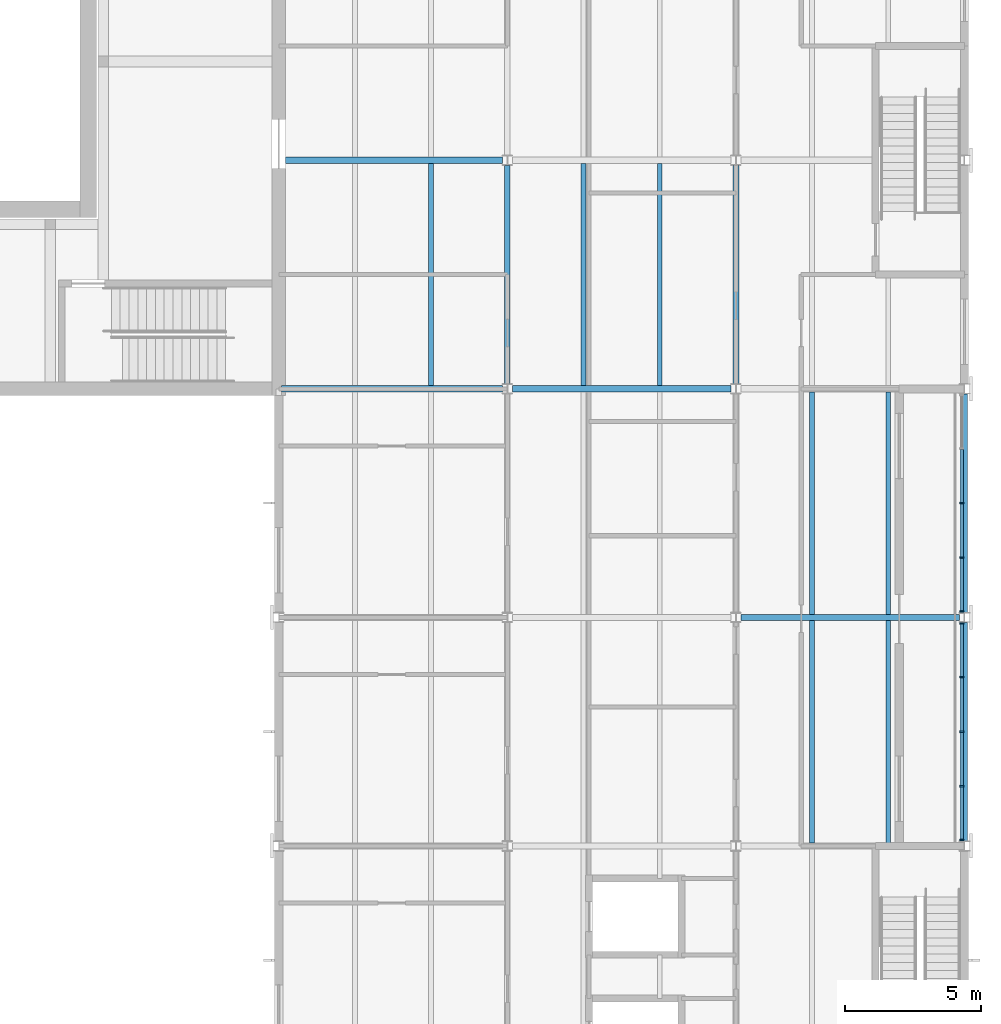
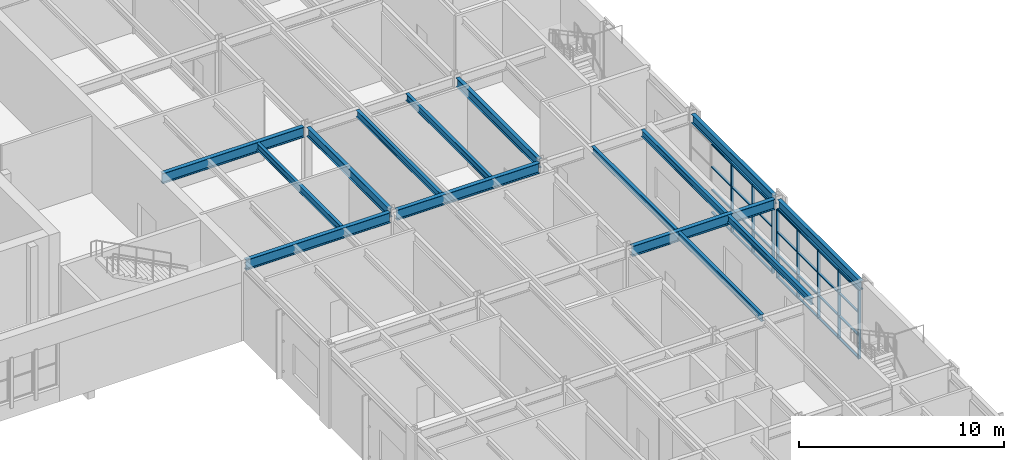
# One storey, part 28 of 127: 36 members, 15 beams, 2 elements without a shape of their own.
"""IFC4 building model written with IfcOpenShell, lengths in metres."""

from ifc_helpers import new_model, si_unit, direction, frame, origin, origin_2d, place, context, subcontext, project, spatial, rectangle, i_section, extrude, material, material_profile, profile_set, type_object, element, aggregate, save


model = new_model("IFC4")

# Units and contexts
model_context = context("Model", 3, precision=1e-05, world=origin(), true_north=direction((0.0, 1.0)))
body_context = subcontext(model_context, "Body", "Model", "MODEL_VIEW")
ifc_project = project(units=[si_unit("LENGTHUNIT", "METRE"), si_unit("AREAUNIT", "SQUARE_METRE"), si_unit("VOLUMEUNIT", "CUBIC_METRE"), si_unit("PLANEANGLEUNIT", "RADIAN"), si_unit("MASSUNIT", "GRAM", prefix="KILO")], contexts=[model_context])

# Site, building, storey
site_placement = place(None, origin())
site = spatial("IfcSite", under=ifc_project, at=site_placement, CompositionType="ELEMENT")
building_placement = place(site_placement, origin())
building = spatial("IfcBuilding", under=site, at=building_placement, Name="Ljudholm Concert House", CompositionType="ELEMENT")
storey_placement = place(building_placement, frame((0.0, 0.0, 5.39990234375)))
storey = spatial("IfcBuildingStorey", under=building, at=storey_placement, Name="L01", CompositionType="ELEMENT", Elevation=5.39990234375)

# Curtain wall, members
ifc_material_1 = material(Name="Aluminium curtain wall with fixed aluminium storm louvre blades, timber-grain finish", Category="aluminium")
curtain_wall_type = type_object("IfcCurtainWallType", Name="CURTAIN WALL 2000", PredefinedType="NOTDEFINED", material=ifc_material_1)
curtain_wall_1_placement = place(storey_placement, origin())
curtain_wall_1 = element("IfcCurtainWall", 1, at=curtain_wall_1_placement, inside=storey, type_object=curtain_wall_type, Name="Storm louvre screen", PredefinedType="NOTDEFINED")
ifc_material_2 = material(Name="Aluminium extrusion", Category="aluminium")
ifc_material_profile_1 = material_profile(ifc_material_2, rectangle(XDim=0.159912109375, YDim=0.06005859375, at=origin_2d()), Name="MULLION 60x160")
ifc_profile_set_1 = profile_set([ifc_material_profile_1], Name="Aluminium extrusion")
member_type_1 = type_object("IfcMemberType", Name="MULLION 60x160", PredefinedType="MULLION", material=ifc_profile_set_1)
member_1_placement = place(storey_placement, frame((121.5, 37.820068359375, 0.0), z_axis=(0.0, 0.0, 1.0), x_axis=(-1.0, 0.0, 0.0)))
member_1 = element("IfcMember", 2, at=member_1_placement, type_object=member_type_1, Name="Mullion", PredefinedType="MULLION", context=body_context, shape_type="SweptSolid", body=[
    extrude(rectangle(XDim=0.159912109375, YDim=0.06005859375, at=origin_2d()), origin(), (0.0, 0.0, 1.0), 4.086669921875),
])
member_2_placement = place(storey_placement, frame((121.5, 39.794921875, 0.0), z_axis=(0.0, 0.0, 1.0), x_axis=(-1.0, 0.0, 0.0)))
member_2 = element("IfcMember", 3, at=member_2_placement, type_object=member_type_1, Name="Mullion", PredefinedType="MULLION", context=body_context, shape_type="SweptSolid", body=[
    extrude(rectangle(XDim=0.159912109375, YDim=0.06005859375, at=origin_2d()), origin(), (0.0, 0.0, 1.0), 4.086669921875),
])
member_3_placement = place(storey_placement, frame((121.5, 41.800048828125, 0.0), z_axis=(0.0, 0.0, 1.0), x_axis=(-1.0, 0.0, 0.0)))
member_3 = element("IfcMember", 4, at=member_3_placement, type_object=member_type_1, Name="Mullion", PredefinedType="MULLION", context=body_context, shape_type="SweptSolid", body=[
    extrude(rectangle(XDim=0.159912109375, YDim=0.06005859375, at=origin_2d()), origin(), (0.0, 0.0, 1.0), 4.086669921875),
])
member_4_placement = place(storey_placement, frame((121.5, 43.804931640625, 0.0), z_axis=(0.0, 0.0, 1.0), x_axis=(-1.0, 0.0, 0.0)))
member_4 = element("IfcMember", 5, at=member_4_placement, type_object=member_type_1, Name="Mullion", PredefinedType="MULLION", context=body_context, shape_type="SweptSolid", body=[
    extrude(rectangle(XDim=0.159912109375, YDim=0.06005859375, at=origin_2d()), origin(), (0.0, 0.0, 1.0), 4.086669921875),
])
member_5_placement = place(storey_placement, frame((121.5, 45.780029296875, 0.0), z_axis=(0.0, 0.0, 1.0), x_axis=(-1.0, 0.0, 0.0)))
member_5 = element("IfcMember", 6, at=member_5_placement, type_object=member_type_1, Name="Mullion", PredefinedType="MULLION", context=body_context, shape_type="SweptSolid", body=[
    extrude(rectangle(XDim=0.159912109375, YDim=0.06005859375, at=origin_2d()), origin(), (0.0, 0.0, 1.0), 4.086669921875),
])

curtain_wall_2_placement = place(storey_placement, origin())
curtain_wall_2 = element("IfcCurtainWall", 7, at=curtain_wall_2_placement, inside=storey, type_object=curtain_wall_type, Name="Storm louvre screen", PredefinedType="NOTDEFINED")
member_6_placement = place(storey_placement, frame((121.5, 46.219970703125, 0.0), z_axis=(0.0, 0.0, 1.0), x_axis=(-1.0, 0.0, 0.0)))
member_6 = element("IfcMember", 8, at=member_6_placement, type_object=member_type_1, Name="Mullion", PredefinedType="MULLION", context=body_context, shape_type="SweptSolid", body=[
    extrude(rectangle(XDim=0.159912109375, YDim=0.06005859375, at=origin_2d()), origin(), (0.0, 0.0, 1.0), 4.086669921875),
])
member_7_placement = place(storey_placement, frame((121.5, 48.195068359375, 0.0), z_axis=(0.0, 0.0, 1.0), x_axis=(-1.0, 0.0, 0.0)))
member_7 = element("IfcMember", 9, at=member_7_placement, type_object=member_type_1, Name="Mullion", PredefinedType="MULLION", context=body_context, shape_type="SweptSolid", body=[
    extrude(rectangle(XDim=0.159912109375, YDim=0.06005859375, at=origin_2d()), origin(), (0.0, 0.0, 1.0), 4.086669921875),
])
member_8_placement = place(storey_placement, frame((121.5, 50.199951171875, 0.0), z_axis=(0.0, 0.0, 1.0), x_axis=(-1.0, 0.0, 0.0)))
member_8 = element("IfcMember", 10, at=member_8_placement, type_object=member_type_1, Name="Mullion", PredefinedType="MULLION", context=body_context, shape_type="SweptSolid", body=[
    extrude(rectangle(XDim=0.159912109375, YDim=0.06005859375, at=origin_2d()), origin(), (0.0, 0.0, 1.0), 4.086669921875),
])

# Beams
ifc_material_3 = material(Name="Steel ASTM A992", Category="steel")
ifc_material_profile_2 = material_profile(ifc_material_3, i_section(OverallWidth=0.177734375, OverallDepth=0.406494140625, WebThickness=0.0078125, FlangeThickness=0.012939453125, FilletRadius=0.01025390625, at=origin_2d()), Name="W16X40")
ifc_profile_set_2 = profile_set([ifc_material_profile_2], Name="Steel ASTM A992")
beam_type_1 = type_object("IfcBeamType", Name="STEEL BEAM W16X40", PredefinedType="BEAM", material=ifc_profile_set_2)
for number, where, z_axis, x_axis, name in (
    (11, (102.0, 54.5146484375, 4.4169921875), (0.0, 1.0, 0.0), (-1.0, 0.0, 0.0), "Beam BOH-L02-sb-102-54.4"),
    (12, (107.60009765625, 54.5146484375, 4.4169921875), (0.0, 1.0, 0.0), (-1.0, 0.0, 0.0), "Beam BOH-L02-sb-107.6-54.4"),
    (13, (110.39990234375, 54.5146484375, 4.4169921875), (0.0, 1.0, 0.0), (-1.0, 0.0, 0.0), "Beam BOH-L02-sb-110.4-54.4"),
    (14, (116.0, 37.714599609375, 4.4169921875), (0.0, 1.0, 0.0), (-1.0, 0.0, 0.0), "Beam BOH-L02-sb-116-37.6"),
    (15, (118.800048828125, 37.714599609375, 4.4169921875), (0.0, 1.0, 0.0), (-1.0, 0.0, 0.0), "Beam BOH-L02-sb-118.8-37.6"),
    (16, (116.0, 46.114501953125, 4.4169921875), (0.0, 1.0, 0.0), (-1.0, 0.0, 0.0), "Beam BOH-L02-sb-116-46"),
    (17, (118.800048828125, 46.114501953125, 4.4169921875), (0.0, 1.0, 0.0), (-1.0, 0.0, 0.0), "Beam BOH-L02-sb-118.8-46"),
):
    element("IfcBeam", number, at=place(storey_placement, frame(where, z_axis=z_axis, x_axis=x_axis)), inside=storey, type_object=beam_type_1, Name=name, PredefinedType="BEAM", context=body_context, shape_type="SweptSolid", body=[
        extrude(i_section(OverallWidth=0.177734375, OverallDepth=0.406494140625, WebThickness=0.0078125, FlangeThickness=0.012939453125, FilletRadius=0.01025390625, at=origin_2d()), origin(), (0.0, 0.0, 1.0), 8.1708984375),
    ])
ifc_material_4 = material(Name="Steel ASTM A992", Category="steel")
ifc_material_profile_3 = material_profile(ifc_material_4, i_section(OverallWidth=0.209228515625, OverallDepth=0.533447265625, WebThickness=0.01025390625, FlangeThickness=0.015625, FilletRadius=0.012939453125, at=origin_2d()), Name="W21X62")
ifc_profile_set_3 = profile_set([ifc_material_profile_3], Name="Steel ASTM A992")
beam_type_2 = type_object("IfcBeamType", Name="STEEL BEAM W21X62", PredefinedType="BEAM", material=ifc_profile_set_3)
for number, where, z_axis, x_axis, name in (
    (18, (104.800048828125, 54.586669921875, 4.353515625), (0.0, 1.0, 0.0), (-1.0, 0.0, 0.0), "Beam BOH-L02-gy-104.8-54.4"),
    (19, (113.199951171875, 54.586669921875, 4.353515625), (0.0, 1.0, 0.0), (-1.0, 0.0, 0.0), "Beam BOH-L02-gy-113.2-54.4"),
    (20, (121.60009765625, 37.78662109375, 4.353515625), (0.0, 1.0, 0.0), (-1.0, 0.0, 0.0), "Beam BOH-L02-gy-121.6-37.6"),
    (21, (121.60009765625, 46.186767578125, 4.353515625), (0.0, 1.0, 0.0), (-1.0, 0.0, 0.0), "Beam BOH-L02-gy-121.6-46"),
):
    element("IfcBeam", number, at=place(storey_placement, frame(where, z_axis=z_axis, x_axis=x_axis)), inside=storey, type_object=beam_type_2, Name=name, PredefinedType="BEAM", context=body_context, shape_type="SweptSolid", body=[
        extrude(i_section(OverallWidth=0.209228515625, OverallDepth=0.533447265625, WebThickness=0.01025390625, FlangeThickness=0.015625, FilletRadius=0.012939453125, at=origin_2d()), origin(), (0.0, 0.0, 1.0), 8.026611328125),
    ])
ifc_material_5 = material(Name="Steel ASTM A992", Category="steel")
ifc_material_profile_4 = material_profile(ifc_material_5, i_section(OverallWidth=0.22900390625, OverallDepth=0.612060546875, WebThickness=0.011962890625, FlangeThickness=0.01953125, FilletRadius=0.0126953125, at=origin_2d()), Name="W24X84")
ifc_profile_set_4 = profile_set([ifc_material_profile_4], Name="Steel ASTM A992")
beam_type_3 = type_object("IfcBeamType", Name="STEEL BEAM W24X84", PredefinedType="BEAM", material=ifc_profile_set_4)
beam_1_placement = place(storey_placement, frame((113.38671875, 46.0, 4.31396484375), z_axis=(1.0, 0.0, 0.0), x_axis=(0.0, 1.0, 0.0)))
element("IfcBeam", 22, at=beam_1_placement, inside=storey, type_object=beam_type_3, Name="Beam BOH-L02-gx-113.2-46", PredefinedType="BEAM", context=body_context, shape_type="SweptSolid", body=[
    extrude(i_section(OverallWidth=0.22900390625, OverallDepth=0.612060546875, WebThickness=0.011962890625, FlangeThickness=0.01953125, FilletRadius=0.0126953125, at=origin_2d()), origin(), (0.0, 0.0, 1.0), 8.026611328125),
])
beam_2_placement = place(storey_placement, frame((96.504638671875, 54.39990234375, 4.31396484375), z_axis=(1.0, 0.0, 0.0), x_axis=(0.0, 1.0, 0.0)))
element("IfcBeam", 23, at=beam_2_placement, inside=storey, type_object=beam_type_3, Name="Beam BOH-L02-gx-96.4-54.4", PredefinedType="BEAM", context=body_context, shape_type="SweptSolid", body=[
    extrude(i_section(OverallWidth=0.22900390625, OverallDepth=0.612060546875, WebThickness=0.011962890625, FlangeThickness=0.01953125, FilletRadius=0.0126953125, at=origin_2d()), origin(), (0.0, 0.0, 1.0), 8.108642578125),
])
beam_3_placement = place(storey_placement, frame((104.986572265625, 54.39990234375, 4.31396484375), z_axis=(1.0, 0.0, 0.0), x_axis=(0.0, 1.0, 0.0)))
element("IfcBeam", 24, at=beam_3_placement, inside=storey, type_object=beam_type_3, Name="Beam BOH-L02-gx-104.8-54.4", PredefinedType="BEAM", context=body_context, shape_type="SweptSolid", body=[
    extrude(i_section(OverallWidth=0.22900390625, OverallDepth=0.612060546875, WebThickness=0.011962890625, FlangeThickness=0.01953125, FilletRadius=0.0126953125, at=origin_2d()), origin(), (0.0, 0.0, 1.0), 8.02685546875),
])
beam_4_placement = place(storey_placement, frame((96.64990234375, 62.800048828125, 4.31396484375), z_axis=(1.0, 0.0, 0.0), x_axis=(0.0, 1.0, 0.0)))
element("IfcBeam", 25, at=beam_4_placement, inside=storey, type_object=beam_type_3, Name="Beam BOH-L02-gx-96.4-62.8", PredefinedType="BEAM", context=body_context, shape_type="SweptSolid", body=[
    extrude(i_section(OverallWidth=0.22900390625, OverallDepth=0.612060546875, WebThickness=0.011962890625, FlangeThickness=0.01953125, FilletRadius=0.0126953125, at=origin_2d()), origin(), (0.0, 0.0, 1.0), 7.96337890625),
])

# Member
ifc_material_6 = material(Name="Aluminium extrusion", Category="aluminium")
ifc_material_profile_5 = material_profile(ifc_material_6, rectangle(XDim=0.1201171875, YDim=0.06005859375, at=origin_2d()), Name="TRANSOM 60x120")
ifc_profile_set_5 = profile_set([ifc_material_profile_5], Name="Aluminium extrusion")
member_type_2 = type_object("IfcMemberType", Name="TRANSOM 60x120", PredefinedType="USERDEFINED", material=ifc_profile_set_5)
member_9_placement = place(storey_placement, frame((121.5, 37.85009765625, 0.030029296875), z_axis=(0.0, 1.0, 0.0), x_axis=(-1.0, 0.0, 0.0)))
member_9 = element("IfcMember", 26, at=member_9_placement, type_object=member_type_2, Name="Transom", ObjectType="TRANSOM", PredefinedType="USERDEFINED", context=body_context, shape_type="SweptSolid", body=[
    extrude(rectangle(XDim=0.1201171875, YDim=0.06005859375, at=origin_2d()), origin(), (0.0, 0.0, 1.0), 1.914794921875),
])

member_10_placement = place(storey_placement, frame((121.5, 37.85009765625, 1.3623046875), z_axis=(0.0, 1.0, 0.0), x_axis=(-1.0, 0.0, 0.0)))
member_10 = element("IfcMember", 27, at=member_10_placement, type_object=member_type_2, Name="Transom", ObjectType="TRANSOM", PredefinedType="USERDEFINED", context=body_context, shape_type="SweptSolid", body=[
    extrude(rectangle(XDim=0.1201171875, YDim=0.06005859375, at=origin_2d()), origin(), (0.0, 0.0, 1.0), 1.914794921875),
])

member_11_placement = place(storey_placement, frame((121.5, 37.85009765625, 2.724609375), z_axis=(0.0, 1.0, 0.0), x_axis=(-1.0, 0.0, 0.0)))
member_11 = element("IfcMember", 28, at=member_11_placement, type_object=member_type_2, Name="Transom", ObjectType="TRANSOM", PredefinedType="USERDEFINED", context=body_context, shape_type="SweptSolid", body=[
    extrude(rectangle(XDim=0.1201171875, YDim=0.06005859375, at=origin_2d()), origin(), (0.0, 0.0, 1.0), 1.914794921875),
])

member_12_placement = place(storey_placement, frame((121.5, 37.85009765625, 4.056640625), z_axis=(0.0, 1.0, 0.0), x_axis=(-1.0, 0.0, 0.0)))
member_12 = element("IfcMember", 29, at=member_12_placement, type_object=member_type_2, Name="Transom", ObjectType="TRANSOM", PredefinedType="USERDEFINED", context=body_context, shape_type="SweptSolid", body=[
    extrude(rectangle(XDim=0.1201171875, YDim=0.06005859375, at=origin_2d()), origin(), (0.0, 0.0, 1.0), 1.914794921875),
])

member_13_placement = place(storey_placement, frame((121.5, 39.824951171875, 0.030029296875), z_axis=(0.0, 1.0, 0.0), x_axis=(-1.0, 0.0, 0.0)))
member_13 = element("IfcMember", 30, at=member_13_placement, type_object=member_type_2, Name="Transom", ObjectType="TRANSOM", PredefinedType="USERDEFINED", context=body_context, shape_type="SweptSolid", body=[
    extrude(rectangle(XDim=0.1201171875, YDim=0.06005859375, at=origin_2d()), origin(), (0.0, 0.0, 1.0), 1.945068359375),
])

member_14_placement = place(storey_placement, frame((121.5, 39.824951171875, 1.3623046875), z_axis=(0.0, 1.0, 0.0), x_axis=(-1.0, 0.0, 0.0)))
member_14 = element("IfcMember", 31, at=member_14_placement, type_object=member_type_2, Name="Transom", ObjectType="TRANSOM", PredefinedType="USERDEFINED", context=body_context, shape_type="SweptSolid", body=[
    extrude(rectangle(XDim=0.1201171875, YDim=0.06005859375, at=origin_2d()), origin(), (0.0, 0.0, 1.0), 1.945068359375),
])

member_15_placement = place(storey_placement, frame((121.5, 39.824951171875, 2.724609375), z_axis=(0.0, 1.0, 0.0), x_axis=(-1.0, 0.0, 0.0)))
member_15 = element("IfcMember", 32, at=member_15_placement, type_object=member_type_2, Name="Transom", ObjectType="TRANSOM", PredefinedType="USERDEFINED", context=body_context, shape_type="SweptSolid", body=[
    extrude(rectangle(XDim=0.1201171875, YDim=0.06005859375, at=origin_2d()), origin(), (0.0, 0.0, 1.0), 1.945068359375),
])

member_16_placement = place(storey_placement, frame((121.5, 39.824951171875, 4.056640625), z_axis=(0.0, 1.0, 0.0), x_axis=(-1.0, 0.0, 0.0)))
member_16 = element("IfcMember", 33, at=member_16_placement, type_object=member_type_2, Name="Transom", ObjectType="TRANSOM", PredefinedType="USERDEFINED", context=body_context, shape_type="SweptSolid", body=[
    extrude(rectangle(XDim=0.1201171875, YDim=0.06005859375, at=origin_2d()), origin(), (0.0, 0.0, 1.0), 1.945068359375),
])

member_17_placement = place(storey_placement, frame((121.5, 41.830078125, 0.030029296875), z_axis=(0.0, 1.0, 0.0), x_axis=(-1.0, 0.0, 0.0)))
member_17 = element("IfcMember", 34, at=member_17_placement, type_object=member_type_2, Name="Transom", ObjectType="TRANSOM", PredefinedType="USERDEFINED", context=body_context, shape_type="SweptSolid", body=[
    extrude(rectangle(XDim=0.1201171875, YDim=0.06005859375, at=origin_2d()), origin(), (0.0, 0.0, 1.0), 1.94482421875),
])

member_18_placement = place(storey_placement, frame((121.5, 41.830078125, 1.3623046875), z_axis=(0.0, 1.0, 0.0), x_axis=(-1.0, 0.0, 0.0)))
member_18 = element("IfcMember", 35, at=member_18_placement, type_object=member_type_2, Name="Transom", ObjectType="TRANSOM", PredefinedType="USERDEFINED", context=body_context, shape_type="SweptSolid", body=[
    extrude(rectangle(XDim=0.1201171875, YDim=0.06005859375, at=origin_2d()), origin(), (0.0, 0.0, 1.0), 1.94482421875),
])

member_19_placement = place(storey_placement, frame((121.5, 41.830078125, 2.724609375), z_axis=(0.0, 1.0, 0.0), x_axis=(-1.0, 0.0, 0.0)))
member_19 = element("IfcMember", 36, at=member_19_placement, type_object=member_type_2, Name="Transom", ObjectType="TRANSOM", PredefinedType="USERDEFINED", context=body_context, shape_type="SweptSolid", body=[
    extrude(rectangle(XDim=0.1201171875, YDim=0.06005859375, at=origin_2d()), origin(), (0.0, 0.0, 1.0), 1.94482421875),
])

member_20_placement = place(storey_placement, frame((121.5, 41.830078125, 4.056640625), z_axis=(0.0, 1.0, 0.0), x_axis=(-1.0, 0.0, 0.0)))
member_20 = element("IfcMember", 37, at=member_20_placement, type_object=member_type_2, Name="Transom", ObjectType="TRANSOM", PredefinedType="USERDEFINED", context=body_context, shape_type="SweptSolid", body=[
    extrude(rectangle(XDim=0.1201171875, YDim=0.06005859375, at=origin_2d()), origin(), (0.0, 0.0, 1.0), 1.94482421875),
])

member_21_placement = place(storey_placement, frame((121.5, 43.8349609375, 0.030029296875), z_axis=(0.0, 1.0, 0.0), x_axis=(-1.0, 0.0, 0.0)))
member_21 = element("IfcMember", 38, at=member_21_placement, type_object=member_type_2, Name="Transom", ObjectType="TRANSOM", PredefinedType="USERDEFINED", context=body_context, shape_type="SweptSolid", body=[
    extrude(rectangle(XDim=0.1201171875, YDim=0.06005859375, at=origin_2d()), origin(), (0.0, 0.0, 1.0), 1.9150390625),
])

member_22_placement = place(storey_placement, frame((121.5, 43.8349609375, 1.3623046875), z_axis=(0.0, 1.0, 0.0), x_axis=(-1.0, 0.0, 0.0)))
member_22 = element("IfcMember", 39, at=member_22_placement, type_object=member_type_2, Name="Transom", ObjectType="TRANSOM", PredefinedType="USERDEFINED", context=body_context, shape_type="SweptSolid", body=[
    extrude(rectangle(XDim=0.1201171875, YDim=0.06005859375, at=origin_2d()), origin(), (0.0, 0.0, 1.0), 1.9150390625),
])

member_23_placement = place(storey_placement, frame((121.5, 43.8349609375, 2.724609375), z_axis=(0.0, 1.0, 0.0), x_axis=(-1.0, 0.0, 0.0)))
member_23 = element("IfcMember", 40, at=member_23_placement, type_object=member_type_2, Name="Transom", ObjectType="TRANSOM", PredefinedType="USERDEFINED", context=body_context, shape_type="SweptSolid", body=[
    extrude(rectangle(XDim=0.1201171875, YDim=0.06005859375, at=origin_2d()), origin(), (0.0, 0.0, 1.0), 1.9150390625),
])

member_24_placement = place(storey_placement, frame((121.5, 43.8349609375, 4.056640625), z_axis=(0.0, 1.0, 0.0), x_axis=(-1.0, 0.0, 0.0)))
member_24 = element("IfcMember", 41, at=member_24_placement, type_object=member_type_2, Name="Transom", ObjectType="TRANSOM", PredefinedType="USERDEFINED", context=body_context, shape_type="SweptSolid", body=[
    extrude(rectangle(XDim=0.1201171875, YDim=0.06005859375, at=origin_2d()), origin(), (0.0, 0.0, 1.0), 1.9150390625),
])

aggregate(curtain_wall_1, [member_1, member_2, member_3, member_4, member_5, member_9, member_10, member_11, member_12, member_13, member_14, member_15, member_16, member_17, member_18, member_19, member_20, member_21, member_22, member_23, member_24])

member_25_placement = place(storey_placement, frame((121.5, 46.25, 0.030029296875), z_axis=(0.0, 1.0, 0.0), x_axis=(-1.0, 0.0, 0.0)))
member_25 = element("IfcMember", 42, at=member_25_placement, type_object=member_type_2, Name="Transom", ObjectType="TRANSOM", PredefinedType="USERDEFINED", context=body_context, shape_type="SweptSolid", body=[
    extrude(rectangle(XDim=0.1201171875, YDim=0.06005859375, at=origin_2d()), origin(), (0.0, 0.0, 1.0), 1.9150390625),
])

member_26_placement = place(storey_placement, frame((121.5, 46.25, 1.3623046875), z_axis=(0.0, 1.0, 0.0), x_axis=(-1.0, 0.0, 0.0)))
member_26 = element("IfcMember", 43, at=member_26_placement, type_object=member_type_2, Name="Transom", ObjectType="TRANSOM", PredefinedType="USERDEFINED", context=body_context, shape_type="SweptSolid", body=[
    extrude(rectangle(XDim=0.1201171875, YDim=0.06005859375, at=origin_2d()), origin(), (0.0, 0.0, 1.0), 1.9150390625),
])

member_27_placement = place(storey_placement, frame((121.5, 46.25, 2.724609375), z_axis=(0.0, 1.0, 0.0), x_axis=(-1.0, 0.0, 0.0)))
member_27 = element("IfcMember", 44, at=member_27_placement, type_object=member_type_2, Name="Transom", ObjectType="TRANSOM", PredefinedType="USERDEFINED", context=body_context, shape_type="SweptSolid", body=[
    extrude(rectangle(XDim=0.1201171875, YDim=0.06005859375, at=origin_2d()), origin(), (0.0, 0.0, 1.0), 1.9150390625),
])

member_28_placement = place(storey_placement, frame((121.5, 46.25, 4.056640625), z_axis=(0.0, 1.0, 0.0), x_axis=(-1.0, 0.0, 0.0)))
member_28 = element("IfcMember", 45, at=member_28_placement, type_object=member_type_2, Name="Transom", ObjectType="TRANSOM", PredefinedType="USERDEFINED", context=body_context, shape_type="SweptSolid", body=[
    extrude(rectangle(XDim=0.1201171875, YDim=0.06005859375, at=origin_2d()), origin(), (0.0, 0.0, 1.0), 1.9150390625),
])

member_29_placement = place(storey_placement, frame((121.5, 48.22509765625, 0.030029296875), z_axis=(0.0, 1.0, 0.0), x_axis=(-1.0, 0.0, 0.0)))
member_29 = element("IfcMember", 46, at=member_29_placement, type_object=member_type_2, Name="Transom", ObjectType="TRANSOM", PredefinedType="USERDEFINED", context=body_context, shape_type="SweptSolid", body=[
    extrude(rectangle(XDim=0.1201171875, YDim=0.06005859375, at=origin_2d()), origin(), (0.0, 0.0, 1.0), 1.94482421875),
])

member_30_placement = place(storey_placement, frame((121.5, 48.22509765625, 1.3623046875), z_axis=(0.0, 1.0, 0.0), x_axis=(-1.0, 0.0, 0.0)))
member_30 = element("IfcMember", 47, at=member_30_placement, type_object=member_type_2, Name="Transom", ObjectType="TRANSOM", PredefinedType="USERDEFINED", context=body_context, shape_type="SweptSolid", body=[
    extrude(rectangle(XDim=0.1201171875, YDim=0.06005859375, at=origin_2d()), origin(), (0.0, 0.0, 1.0), 1.94482421875),
])

member_31_placement = place(storey_placement, frame((121.5, 48.22509765625, 2.724609375), z_axis=(0.0, 1.0, 0.0), x_axis=(-1.0, 0.0, 0.0)))
member_31 = element("IfcMember", 48, at=member_31_placement, type_object=member_type_2, Name="Transom", ObjectType="TRANSOM", PredefinedType="USERDEFINED", context=body_context, shape_type="SweptSolid", body=[
    extrude(rectangle(XDim=0.1201171875, YDim=0.06005859375, at=origin_2d()), origin(), (0.0, 0.0, 1.0), 1.94482421875),
])

member_32_placement = place(storey_placement, frame((121.5, 48.22509765625, 4.056640625), z_axis=(0.0, 1.0, 0.0), x_axis=(-1.0, 0.0, 0.0)))
member_32 = element("IfcMember", 49, at=member_32_placement, type_object=member_type_2, Name="Transom", ObjectType="TRANSOM", PredefinedType="USERDEFINED", context=body_context, shape_type="SweptSolid", body=[
    extrude(rectangle(XDim=0.1201171875, YDim=0.06005859375, at=origin_2d()), origin(), (0.0, 0.0, 1.0), 1.94482421875),
])

member_33_placement = place(storey_placement, frame((121.5, 50.22998046875, 0.030029296875), z_axis=(0.0, 1.0, 0.0), x_axis=(-1.0, 0.0, 0.0)))
member_33 = element("IfcMember", 50, at=member_33_placement, type_object=member_type_2, Name="Transom", ObjectType="TRANSOM", PredefinedType="USERDEFINED", context=body_context, shape_type="SweptSolid", body=[
    extrude(rectangle(XDim=0.1201171875, YDim=0.06005859375, at=origin_2d()), origin(), (0.0, 0.0, 1.0), 1.945068359375),
])

member_34_placement = place(storey_placement, frame((121.5, 50.22998046875, 1.3623046875), z_axis=(0.0, 1.0, 0.0), x_axis=(-1.0, 0.0, 0.0)))
member_34 = element("IfcMember", 51, at=member_34_placement, type_object=member_type_2, Name="Transom", ObjectType="TRANSOM", PredefinedType="USERDEFINED", context=body_context, shape_type="SweptSolid", body=[
    extrude(rectangle(XDim=0.1201171875, YDim=0.06005859375, at=origin_2d()), origin(), (0.0, 0.0, 1.0), 1.945068359375),
])

member_35_placement = place(storey_placement, frame((121.5, 50.22998046875, 2.724609375), z_axis=(0.0, 1.0, 0.0), x_axis=(-1.0, 0.0, 0.0)))
member_35 = element("IfcMember", 52, at=member_35_placement, type_object=member_type_2, Name="Transom", ObjectType="TRANSOM", PredefinedType="USERDEFINED", context=body_context, shape_type="SweptSolid", body=[
    extrude(rectangle(XDim=0.1201171875, YDim=0.06005859375, at=origin_2d()), origin(), (0.0, 0.0, 1.0), 1.945068359375),
])

member_36_placement = place(storey_placement, frame((121.5, 50.22998046875, 4.056640625), z_axis=(0.0, 1.0, 0.0), x_axis=(-1.0, 0.0, 0.0)))
member_36 = element("IfcMember", 53, at=member_36_placement, type_object=member_type_2, Name="Transom", ObjectType="TRANSOM", PredefinedType="USERDEFINED", context=body_context, shape_type="SweptSolid", body=[
    extrude(rectangle(XDim=0.1201171875, YDim=0.06005859375, at=origin_2d()), origin(), (0.0, 0.0, 1.0), 1.945068359375),
])

aggregate(curtain_wall_2, [member_6, member_7, member_8, member_25, member_26, member_27, member_28, member_29, member_30, member_31, member_32, member_33, member_34, member_35, member_36])

save(model, "model.ifc")
